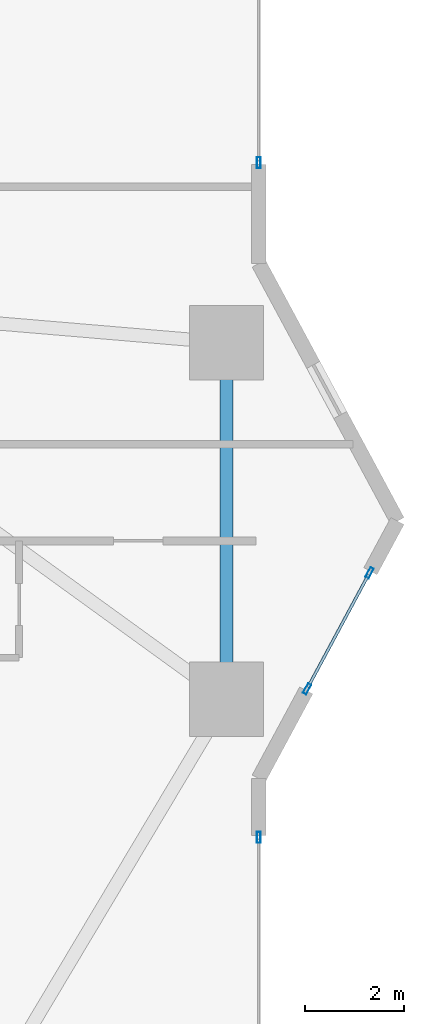
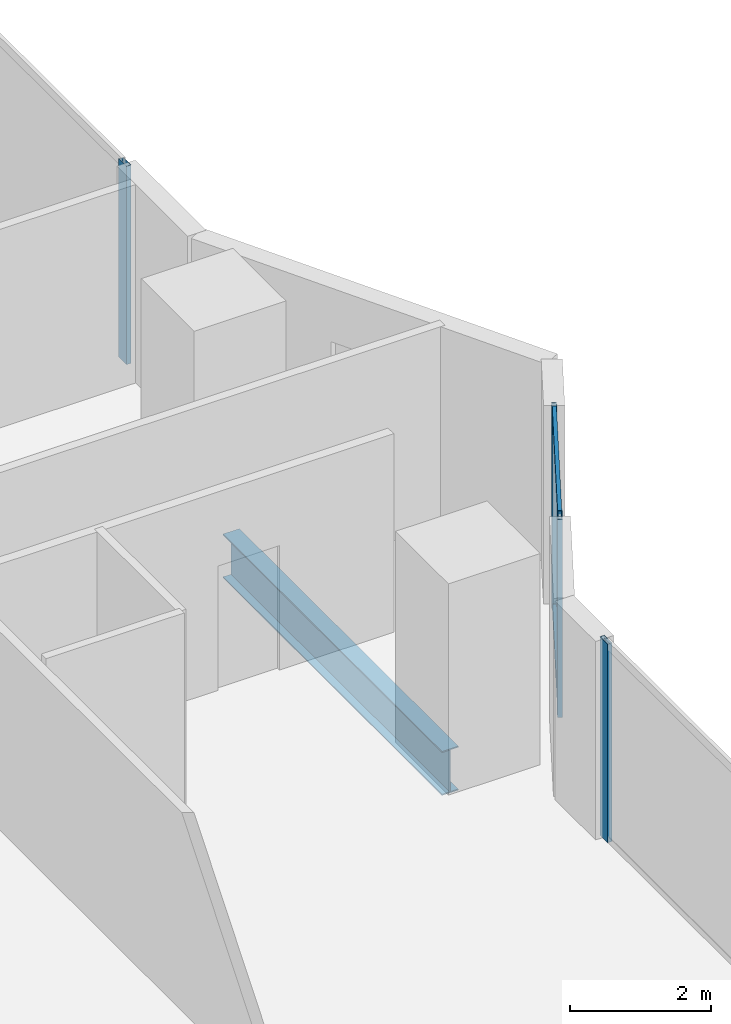
# One storey, part 12 of 29: 6 members, 1 beam, 3 elements without a shape of their own.
"""IFC4 building model written with IfcOpenShell, lengths in metres."""

from ifc_helpers import new_model, si_unit, direction, frame, origin, origin_2d, place, context, subcontext, project, spatial, hollow_rectangle, i_section, extrude, material, layer, layer_set, material_profile, profile_set, type_object, element, aggregate, save


model = new_model("IFC4")

# Units and contexts
model_context = context("Model", 3, precision=1e-05, world=origin(), true_north=direction((0.0, 1.0)))
body_context = subcontext(model_context, "Body", "Model", "MODEL_VIEW")
ifc_project = project(units=[si_unit("LENGTHUNIT", "METRE"), si_unit("AREAUNIT", "SQUARE_METRE"), si_unit("VOLUMEUNIT", "CUBIC_METRE"), si_unit("PLANEANGLEUNIT", "RADIAN"), si_unit("MASSUNIT", "GRAM", prefix="KILO")], contexts=[model_context])

# Site, building, storey
site_placement = place(None, origin())
site = spatial("IfcSite", under=ifc_project, at=site_placement, CompositionType="ELEMENT")
building_placement = place(site_placement, origin())
building = spatial("IfcBuilding", under=site, at=building_placement, Name="Zuhayl Quay Hotel", CompositionType="ELEMENT")
storey_placement = place(building_placement, frame((0.0, 0.0, 42.199951171875)))
storey = spatial("IfcBuildingStorey", under=building, at=storey_placement, Name="L09", CompositionType="ELEMENT", Elevation=42.199951171875)

# Beam
ifc_material_1 = material(Name="Steel ASTM A992 Grade 50", Category="steel")
ifc_material_profile_1 = material_profile(ifc_material_1, i_section(OverallWidth=0.26708984375, OverallDepth=0.761962890625, WebThickness=0.014404296875, FlangeThickness=0.021484375, at=origin_2d()), Name="W30X116")
ifc_profile_set_1 = profile_set([ifc_material_profile_1], Name="Steel ASTM A992 Grade 50")
beam_type = type_object("IfcBeamType", Name="BM_B1_W30X116", PredefinedType="BEAM", material=ifc_profile_set_1)
beam_placement = place(storey_placement, frame((25.050048828125, -3.10009765625, -0.600830078125), z_axis=(0.0, 1.0, 0.0), x_axis=(-1.0, 0.0, 0.0)))
element("IfcBeam", 1, at=beam_placement, inside=storey, type_object=beam_type, Name="L09 Floor Beam RG_L09_05", PredefinedType="BEAM", context=body_context, shape_type="SweptSolid", body=[
    extrude(i_section(OverallWidth=0.26708984375, OverallDepth=0.761962890625, WebThickness=0.014404296875, FlangeThickness=0.021484375, at=origin_2d()), origin(), (0.0, 0.0, 1.0), 6.2001953125),
])

# Curtain wall, member
ifc_material_2 = material(Name="Anodised Aluminium 6063-T6", Category="aluminium")
ifc_layer = layer(ifc_material_2, 0.18994140625, Name="Anodised Aluminium 6063-T6", Category="aluminium")
ifc_layer_set = layer_set([ifc_layer], Name="Anodised Aluminium 6063-T6")
curtain_wall_type = type_object("IfcCurtainWallType", Name="CW_SYS_Z1", PredefinedType="USERDEFINED", material=ifc_layer_set)
curtain_wall_1_placement = place(storey_placement, origin())
curtain_wall_1 = element("IfcCurtainWall", 2, at=curtain_wall_1_placement, inside=storey, type_object=curtain_wall_type, Name="L09 Curtain Wall ENV_L09_E11_CW1", ObjectType="UNITISED CURTAIN WALL", PredefinedType="USERDEFINED")
ifc_material_3 = material(Name="Black-anodised aluminium 6063-T6", Category="aluminium")
ifc_material_profile_2 = material_profile(ifc_material_3, hollow_rectangle(XDim=0.074951171875, YDim=0.219970703125, WallThickness=0.00390625, at=origin_2d()), Name="ALU220X75")
ifc_profile_set_2 = profile_set([ifc_material_profile_2], Name="Black-anodised aluminium 6063-T6")
member_type_1 = type_object("IfcMemberType", Name="MB_CW_MUL_220", PredefinedType="MULLION", material=ifc_profile_set_2)
member_1_placement = place(storey_placement, frame((25.699951171875, 7.237548828125, 0.0), z_axis=(0.0, 0.0, 1.0), x_axis=(1.0, 0.0, 0.0)))
member_1 = element("IfcMember", 3, at=member_1_placement, type_object=member_type_1, Name="CW-Z1 mullion 2", PredefinedType="MULLION", context=body_context, shape_type="SweptSolid", body=[
    extrude(hollow_rectangle(XDim=0.074951171875, YDim=0.219970703125, WallThickness=0.00390625, at=origin_2d()), origin(), (0.0, 0.0, 1.0), 3.429931640625),
])
aggregate(curtain_wall_1, [member_1])

# Curtain wall, members
curtain_wall_2_placement = place(storey_placement, origin())
curtain_wall_2 = element("IfcCurtainWall", 4, at=curtain_wall_2_placement, inside=storey, type_object=curtain_wall_type, Name="L09 Curtain Wall ENV_L09_E13_CW1", ObjectType="UNITISED CURTAIN WALL", PredefinedType="USERDEFINED")
member_2_placement = place(storey_placement, frame((27.93701171875, -1.04541015625, 0.0), z_axis=(0.0, 0.0, 1.0), x_axis=(0.880475795468, -0.474091102632, 0.0)))
member_2 = element("IfcMember", 5, at=member_2_placement, type_object=member_type_1, Name="CW-Z1 mullion 1", PredefinedType="MULLION", context=body_context, shape_type="SweptSolid", body=[
    extrude(hollow_rectangle(XDim=0.074951171875, YDim=0.219970703125, WallThickness=0.00390625, at=origin_2d()), origin(), (0.0, 0.0, 1.0), 3.429931640625),
])
member_3_placement = place(storey_placement, frame((26.67578125, -3.387939453125, 0.0), z_axis=(0.0, 0.0, 1.0), x_axis=(0.880475795468, -0.474091102632, 0.0)))
member_3 = element("IfcMember", 6, at=member_3_placement, type_object=member_type_1, Name="CW-Z1 mullion 2", PredefinedType="MULLION", context=body_context, shape_type="SweptSolid", body=[
    extrude(hollow_rectangle(XDim=0.074951171875, YDim=0.219970703125, WallThickness=0.00390625, at=origin_2d()), origin(), (0.0, 0.0, 1.0), 3.429931640625),
])

# Curtain wall, member
curtain_wall_3_placement = place(storey_placement, origin())
curtain_wall_3 = element("IfcCurtainWall", 7, at=curtain_wall_3_placement, inside=storey, type_object=curtain_wall_type, Name="L09 Curtain Wall ENV_L09_E14_CW1", ObjectType="UNITISED CURTAIN WALL", PredefinedType="USERDEFINED")
member_4_placement = place(storey_placement, frame((25.699951171875, -6.387451171875, 0.0), z_axis=(0.0, 0.0, 1.0), x_axis=(1.0, 0.0, 0.0)))
member_4 = element("IfcMember", 8, at=member_4_placement, type_object=member_type_1, Name="CW-Z1 mullion 1", PredefinedType="MULLION", context=body_context, shape_type="SweptSolid", body=[
    extrude(hollow_rectangle(XDim=0.074951171875, YDim=0.219970703125, WallThickness=0.00390625, at=origin_2d()), origin(), (0.0, 0.0, 1.0), 3.429931640625),
])
aggregate(curtain_wall_3, [member_4])

# Member
ifc_material_profile_3 = material_profile(ifc_material_3, hollow_rectangle(XDim=0.06005859375, YDim=0.14990234375, WallThickness=0.00341796875, at=origin_2d()), Name="ALU150X60")
ifc_profile_set_3 = profile_set([ifc_material_profile_3], Name="Black-anodised aluminium 6063-T6")
member_type_2 = type_object("IfcMemberType", Name="MB_CW_TRN_150", PredefinedType="USERDEFINED", material=ifc_profile_set_3)
member_5_placement = place(storey_placement, frame((27.919189453125, -1.07861328125, 0.030029296875), z_axis=(-0.474054771703, -0.880495356845, 0.0), x_axis=(0.880495356845, -0.474054771703, 0.0)))
member_5 = element("IfcMember", 9, at=member_5_placement, type_object=member_type_2, Name="CW-Z1 transom 1.1", ObjectType="TRANSOM", PredefinedType="USERDEFINED", context=body_context, shape_type="SweptSolid", body=[
    extrude(hollow_rectangle(XDim=0.06005859375, YDim=0.14990234375, WallThickness=0.00341796875, at=origin_2d()), origin(), (0.0, 0.0, 1.0), 2.585205078125),
])

member_6_placement = place(storey_placement, frame((27.919189453125, -1.07861328125, 3.400146484375), z_axis=(-0.474054771703, -0.880495356845, 0.0), x_axis=(0.880495356845, -0.474054771703, 0.0)))
member_6 = element("IfcMember", 10, at=member_6_placement, type_object=member_type_2, Name="CW-Z1 transom 1.2", ObjectType="TRANSOM", PredefinedType="USERDEFINED", context=body_context, shape_type="SweptSolid", body=[
    extrude(hollow_rectangle(XDim=0.06005859375, YDim=0.14990234375, WallThickness=0.00341796875, at=origin_2d()), origin(), (0.0, 0.0, 1.0), 2.585205078125),
])

aggregate(curtain_wall_2, [member_2, member_3, member_5, member_6])

save(model, "model.ifc")
